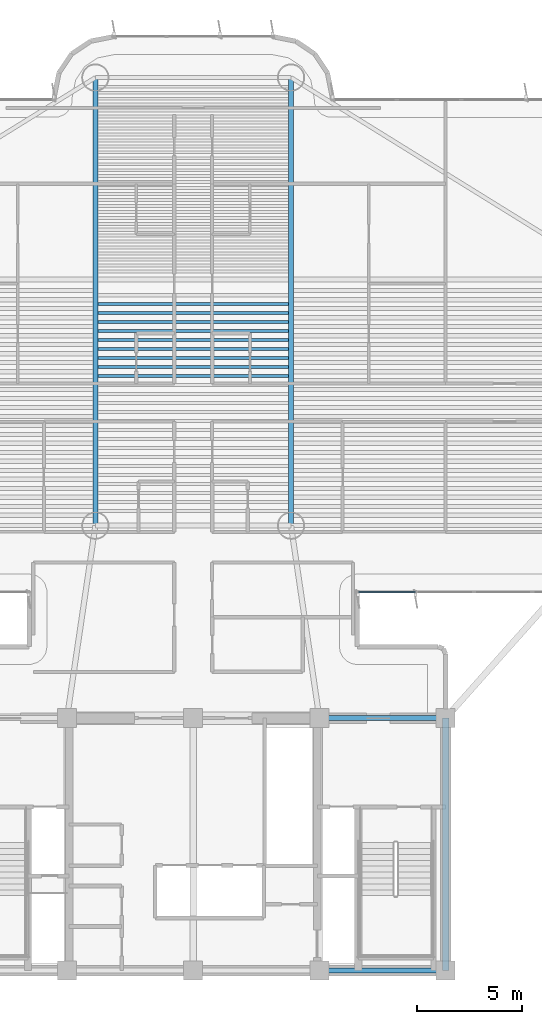
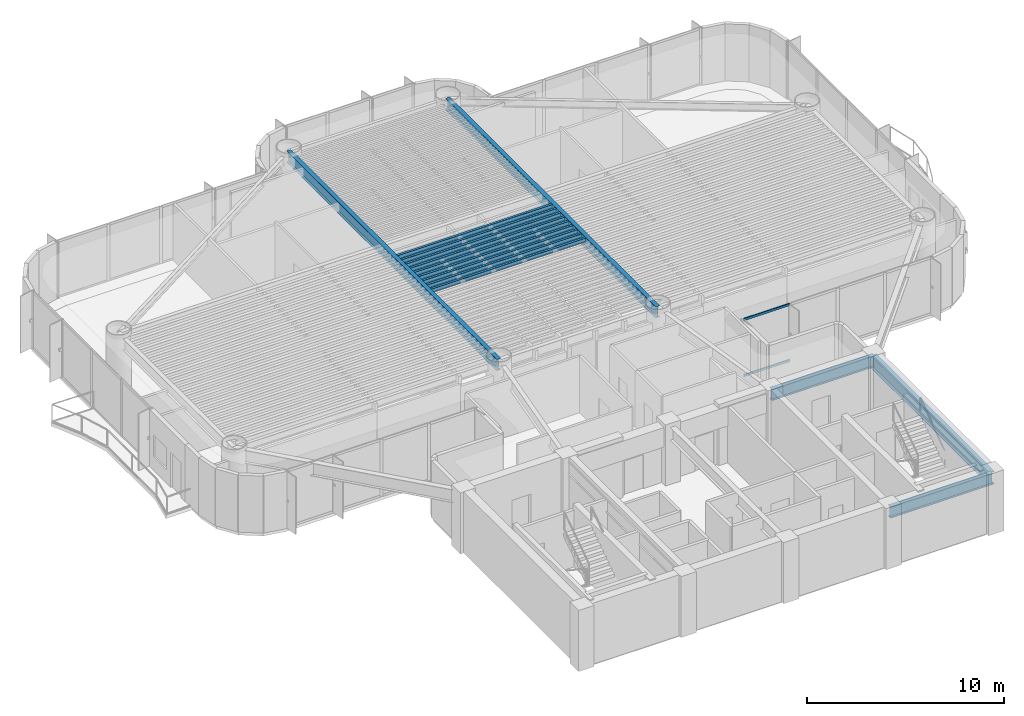
# One storey, part 3 of 17: 14 beams, 2 members, 1 element without a shape of its own.
"""IFC4 building model written with IfcOpenShell, lengths in metres."""

import ifcopenshell
import ifcopenshell.guid

model = None  # the IFC model being written
_history = None  # IfcOwnerHistory: only IFC2X3 demands one
_inside = {}  # id of a spatial element -> (the spatial element, [elements in it])
_under = {}  # id of a project, library or spatial element -> (it, [spatial elements below it])
_declared = {}  # id of a project -> (the project, [libraries it declares])
_typed = {}  # id of a type object -> (the type object, [elements of that type])
_made_of = {}  # id of a material, layer set ... -> (it, [elements and type objects made of it])


def new_model(schema):
    """Start an empty IFC model of exactly this schema.

    Asked for "IFC4X3", IfcOpenShell would pick the latest addendum, in which some entities
    have other attributes; the version numbers below select the first issue.
    IFC2X3 requires an IfcOwnerHistory on every rooted entity: one is made here for all.
    """
    global model, _history
    if schema == "IFC4X3":
        model = ifcopenshell.file(schema_version=(4, 3, 0, 0))
    else:
        model = ifcopenshell.file(schema=schema)
    _inside.clear()
    _under.clear()
    _declared.clear()
    _typed.clear()
    _made_of.clear()
    _history = None
    if model.schema == "IFC2X3":
        org = make("IfcOrganization", Name="unknown")
        user = make(
            "IfcPersonAndOrganization",
            ThePerson=make("IfcPerson", FamilyName="unknown"),
            TheOrganization=org,
        )
        app = make(
            "IfcApplication",
            ApplicationDeveloper=org,
            Version="unknown",
            ApplicationFullName="unknown",
            ApplicationIdentifier="unknown",
        )
        _history = make(
            "IfcOwnerHistory",
            OwningUser=user,
            OwningApplication=app,
            ChangeAction="ADDED",
            CreationDate=0,
        )
    return model


def make(cls, **values):
    """One entity of the class cls with the attributes given. An attribute that is None is left unset."""
    return model.create_entity(
        cls, **{name: value for name, value in values.items() if value is not None}
    )


def rooted(cls, **values):
    """An entity with a GlobalId (a new one), such as an element, a storey or a relation."""
    return make(cls, GlobalId=ifcopenshell.guid.new(), OwnerHistory=_history, **values)


def si_unit(unit_type, name, prefix=None):
    """IfcSIUnit, for example si_unit("LENGTHUNIT", "METRE", prefix="MILLI")."""
    return make("IfcSIUnit", UnitType=unit_type, Prefix=prefix, Name=name)


def assignment(units):
    """IfcUnitAssignment: the units of a project."""
    return None if units is None else make("IfcUnitAssignment", Units=units)


def point(xyz):
    """IfcCartesianPoint."""
    return None if xyz is None else make("IfcCartesianPoint", Coordinates=xyz)


def direction(xyz):
    """IfcDirection."""
    return None if xyz is None else make("IfcDirection", DirectionRatios=xyz)


def frame(location, z_axis=None, x_axis=None):
    """IfcAxis2Placement3D, a coordinate frame: its origin and axes. An axis left out is left unset."""
    return make(
        "IfcAxis2Placement3D",
        Location=point(location),
        Axis=direction(z_axis),
        RefDirection=direction(x_axis),
    )


def frame_2d(location, x_axis=None):
    """IfcAxis2Placement2D, a coordinate frame in the plane: its origin and x axis."""
    return make(
        "IfcAxis2Placement2D", Location=point(location), RefDirection=direction(x_axis)
    )


def origin():
    """The frame at (0, 0, 0) with its axes left unset."""
    return frame((0.0, 0.0, 0.0))


def origin_2d():
    """The frame at (0, 0) in the plane with its x axis left unset."""
    return frame_2d((0.0, 0.0))


def place(relative_to, where):
    """IfcLocalPlacement: puts the frame where relative to a parent placement (None: the world)."""
    return make(
        "IfcLocalPlacement", PlacementRelTo=relative_to, RelativePlacement=where
    )


def context(
    kind, dimensions, precision=None, world=None, true_north=None, identifier=None
):
    """IfcGeometricRepresentationContext, for example the 3D "Model" context."""
    return make(
        "IfcGeometricRepresentationContext",
        ContextIdentifier=identifier,
        ContextType=kind,
        CoordinateSpaceDimension=dimensions,
        Precision=precision,
        WorldCoordinateSystem=world,
        TrueNorth=true_north,
    )


def subcontext(parent, identifier, kind, view, scale=None):
    """IfcGeometricRepresentationSubContext, for example "Body" below "Model"."""
    return make(
        "IfcGeometricRepresentationSubContext",
        ContextIdentifier=identifier,
        ContextType=kind,
        ParentContext=parent,
        TargetScale=scale,
        TargetView=view,
    )


def project(units=None, contexts=None):
    """IfcProject with its units and contexts."""
    return rooted(
        "IfcProject",
        Name="project",
        RepresentationContexts=contexts,
        UnitsInContext=assignment(units),
    )


def spatial(cls, under=None, at=None, **own):
    """A site, building, storey or space (cls), placed at a placement, below another one or the project."""
    s = rooted(cls, ObjectPlacement=at, **own)
    if under is not None:
        _under.setdefault(under.id(), (under, []))[1].append(s)
    return s


def profile(cls, at=None, kind="AREA", **sizes):
    """A parametric profile (cls). Its sizes go by their IFC names, for example OverallWidth=200.0."""
    return make(cls, ProfileType=kind, Position=at, **sizes)


def rectangle(**sizes):
    """IfcRectangleProfileDef."""
    return profile("IfcRectangleProfileDef", **sizes)


def i_section(**sizes):
    """IfcIShapeProfileDef."""
    return profile("IfcIShapeProfileDef", **sizes)


def extrude(swept, where, along, depth):
    """IfcExtrudedAreaSolid: the profile swept, set in the frame where, extruded along a direction by depth."""
    return make(
        "IfcExtrudedAreaSolid",
        SweptArea=swept,
        Position=where,
        ExtrudedDirection=direction(along),
        Depth=depth,
    )


def shape(context_of_items, identifier, shape_type, items):
    """IfcShapeRepresentation: the items that make up one representation, for example the "Body"."""
    return make(
        "IfcShapeRepresentation",
        ContextOfItems=context_of_items,
        RepresentationIdentifier=identifier,
        RepresentationType=shape_type,
        Items=items,
    )


def source(mapping_origin, context_of_items, identifier, shape_type, items):
    """IfcRepresentationMap: a shape defined once, which mapped items show again and again."""
    return make(
        "IfcRepresentationMap",
        MappingOrigin=mapping_origin,
        MappedRepresentation=shape(context_of_items, identifier, shape_type, items),
    )


def transform(
    local_origin,
    x_axis=None,
    y_axis=None,
    z_axis=None,
    scale=None,
    scale2=None,
    scale3=None,
    uniform=True,
):
    """IfcCartesianTransformationOperator3D, or its non-uniform kind. x_axis, y_axis, z_axis: its Axis1, 2, 3."""
    if uniform:
        return make(
            "IfcCartesianTransformationOperator3D",
            Axis1=direction(x_axis),
            Axis2=direction(y_axis),
            LocalOrigin=point(local_origin),
            Scale=scale,
            Axis3=direction(z_axis),
        )
    return make(
        "IfcCartesianTransformationOperator3DnonUniform",
        Axis1=direction(x_axis),
        Axis2=direction(y_axis),
        LocalOrigin=point(local_origin),
        Scale=scale,
        Axis3=direction(z_axis),
        Scale2=scale2,
        Scale3=scale3,
    )


def mapped(mapping_source, mapping_target):
    """IfcMappedItem: shows the shape of a source again, moved by a transform."""
    return make(
        "IfcMappedItem", MappingSource=mapping_source, MappingTarget=mapping_target
    )


def material(Name=None, Category=None):
    """IfcMaterial."""
    return make("IfcMaterial", Name=Name, Category=Category)


def layer(
    of_material, thickness, ventilated=None, Name=None, Category=None, Priority=None
):
    """IfcMaterialLayer: one layer of a wall or slab, of a material (None: an air gap)."""
    return make(
        "IfcMaterialLayer",
        Material=of_material,
        LayerThickness=thickness,
        IsVentilated=ventilated,
        Name=Name,
        Category=Category,
        Priority=Priority,
    )


def layer_set(layers, Name=None):
    """IfcMaterialLayerSet."""
    return make("IfcMaterialLayerSet", MaterialLayers=layers, LayerSetName=Name)


def material_profile(
    of_material, cross_section, Name=None, Category=None, Priority=None
):
    """IfcMaterialProfile: a cross section and its material."""
    return make(
        "IfcMaterialProfile",
        Name=Name,
        Material=of_material,
        Profile=cross_section,
        Priority=Priority,
        Category=Category,
    )


def profile_set(profiles, Name=None, composite=None):
    """IfcMaterialProfileSet."""
    return make(
        "IfcMaterialProfileSet",
        Name=Name,
        MaterialProfiles=profiles,
        CompositeProfile=composite,
    )


def made_of(thing, what):
    """Note that an element or type object is made of a material, layer set ...; save() writes the relation."""
    if what is not None:
        _made_of.setdefault(what.id(), (what, []))[1].append(thing)
    return thing


def type_object(cls, material=None, **own):
    """A type object (cls), such as IfcWallType, which elements share."""
    return made_of(rooted(cls, **own), material)


def element(
    cls,
    number,
    at=None,
    inside=None,
    cuts=None,
    type_object=None,
    material=None,
    context=None,
    identifier="Body",
    shape_type=None,
    held_by="IfcProductDefinitionShape",
    body=None,
    shapes=None,
    **own,
):
    """One element of the class cls, such as IfcWall. Its Tag is "e" and its number.

    at: its placement. inside: the storey or other place that contains it. cuts: it is an
    opening in that element (IfcRelVoidsElement). A single representation is given by context,
    identifier, shape_type and body (its items); several are given by shapes. held_by: the class
    of the entity that holds the representations. save() writes the other relations.
    """
    e = rooted(cls, Tag="e%d" % number, ObjectPlacement=at, **own)
    if body is not None:
        shapes = [shape(context, identifier, shape_type, body)]
    if shapes is not None:
        e.Representation = make(held_by, Representations=shapes)
    if inside is not None:
        _inside.setdefault(inside.id(), (inside, []))[1].append(e)
    if cuts is not None:
        rooted(
            "IfcRelVoidsElement", RelatingBuildingElement=cuts, RelatedOpeningElement=e
        )
    if type_object is not None:
        _typed.setdefault(type_object.id(), (type_object, []))[1].append(e)
    return made_of(e, material)


def aggregate(whole, parts):
    """IfcRelAggregates: a whole, such as a stair, and the parts it consists of."""
    return rooted("IfcRelAggregates", RelatingObject=whole, RelatedObjects=parts)


def save(model, path):
    """Write the relations noted so far, then the file.

    IfcRelAggregates (storeys below a building ...), IfcRelContainedInSpatialStructure (elements
    in a storey), IfcRelDefinesByType, IfcRelAssociatesMaterial and IfcRelDeclares: one each for
    every whole, place, type object, material and project.
    """
    for whole, parts in _under.values():
        aggregate(whole, parts)
    for where, things in _inside.values():
        rooted(
            "IfcRelContainedInSpatialStructure",
            RelatedElements=things,
            RelatingStructure=where,
        )
    for kind, things in _typed.values():
        rooted("IfcRelDefinesByType", RelatedObjects=things, RelatingType=kind)
    for what, things in _made_of.values():
        rooted("IfcRelAssociatesMaterial", RelatedObjects=things, RelatingMaterial=what)
    for by, libraries in _declared.values():
        rooted("IfcRelDeclares", RelatingContext=by, RelatedDefinitions=libraries)
    model.write(path)


model = new_model("IFC4")

# Units and contexts
model_context = context("Model", 3, precision=1e-05, world=origin(), true_north=direction((0.0, 1.0)))
body_context = subcontext(model_context, "Body", "Model", "MODEL_VIEW")
ifc_project = project(units=[si_unit("LENGTHUNIT", "METRE"), si_unit("AREAUNIT", "SQUARE_METRE"), si_unit("VOLUMEUNIT", "CUBIC_METRE"), si_unit("PLANEANGLEUNIT", "RADIAN"), si_unit("MASSUNIT", "GRAM", prefix="KILO")], contexts=[model_context])

# Site, building, storey
site_placement = place(None, origin())
site = spatial("IfcSite", under=ifc_project, at=site_placement, CompositionType="ELEMENT")
building_placement = place(site_placement, origin())
building = spatial("IfcBuilding", under=site, at=building_placement, Name="Brelvock Crest Care Tower", CompositionType="ELEMENT")
storey_placement = place(building_placement, frame((0.0, 0.0, 93.60009765625)))
storey = spatial("IfcBuildingStorey", under=building, at=storey_placement, Name="L23", CompositionType="ELEMENT", Elevation=93.60009765625)

# Beams
ifc_material_1 = material(Name="Steel Grade 350", Category="steel")
ifc_material_profile_1 = material_profile(ifc_material_1, i_section(OverallWidth=0.25, OverallDepth=0.699951171875, WebThickness=0.011962890625, FlangeThickness=0.02001953125, at=origin_2d()), Name="700WB150")
ifc_profile_set_1 = profile_set([ifc_material_profile_1], Name="Steel Grade 350")
beam_type_1 = type_object("IfcBeamType", Name="BM-G4", PredefinedType="BEAM", material=ifc_profile_set_1)
shared_shape_1 = source(origin(), body_context, "Body", "SweptSolid", [
    extrude(i_section(OverallWidth=0.25, OverallDepth=0.699951171875, WebThickness=0.011962890625, FlangeThickness=0.02001953125, at=origin_2d()), origin(), (0.0, 0.0, 1.0), 6.0),
])
for number, where, z_axis, x_axis, name in (
    (1, (42.0, 6.0, 3.179931640625), (1.0, 0.0, 0.0), (0.0, 1.0, 0.0), "BM-CORES-L23-4"),
    (2, (42.0, 18.0, 3.179931640625), (1.0, 0.0, 0.0), (0.0, 1.0, 0.0), "BM-COREN-L23-4"),
):
    element("IfcBeam", number, at=place(storey_placement, frame(where, z_axis=z_axis, x_axis=x_axis)), inside=storey, type_object=beam_type_1, Name=name, PredefinedType="BEAM", context=body_context, shape_type="MappedRepresentation", body=[
        mapped(shared_shape_1, transform((0.0, 0.0, 0.0), x_axis=(1.0, 0.0, 0.0), y_axis=(0.0, 1.0, 0.0), z_axis=(0.0, 0.0, 1.0), scale=1.0)),
    ])
ifc_material_profile_2 = material_profile(ifc_material_1, i_section(OverallWidth=0.300048828125, OverallDepth=0.800048828125, WebThickness=0.013916015625, FlangeThickness=0.02197265625, at=origin_2d()), Name="800WB192")
ifc_profile_set_2 = profile_set([ifc_material_profile_2], Name="Steel Grade 350")
beam_type_2 = type_object("IfcBeamType", Name="BM-G5", PredefinedType="BEAM", material=ifc_profile_set_2)
shared_shape_2 = source(origin(), body_context, "Body", "SweptSolid", [
    extrude(i_section(OverallWidth=0.300048828125, OverallDepth=0.800048828125, WebThickness=0.013916015625, FlangeThickness=0.02197265625, at=origin_2d()), origin(), (0.0, 0.0, 1.0), 12.0),
])
beam_placement = place(storey_placement, frame((48.0, 6.0, 3.1298828125), z_axis=(0.0, 1.0, 0.0), x_axis=(-1.0, 0.0, 0.0)))
element("IfcBeam", 3, at=beam_placement, inside=storey, type_object=beam_type_2, Name="BM-COREX-L23-5", PredefinedType="BEAM", context=body_context, shape_type="MappedRepresentation", body=[
    mapped(shared_shape_2, transform((0.0, 0.0, 0.0), x_axis=(1.0, 0.0, 0.0), y_axis=(0.0, 1.0, 0.0), z_axis=(0.0, 0.0, 1.0), scale=1.0)),
])
ifc_material_profile_3 = material_profile(ifc_material_1, i_section(OverallWidth=0.14599609375, OverallDepth=0.256103515625, WebThickness=0.00634765625, FlangeThickness=0.010986328125, FilletRadius=0.0087890625, at=origin_2d()), Name="250UB37.3")
ifc_profile_set_3 = profile_set([ifc_material_profile_3], Name="Steel Grade 350")
beam_type_3 = type_object("IfcBeamType", Name="BM-J3", PredefinedType="JOIST", material=ifc_profile_set_3)
shared_shape_3 = source(origin(), body_context, "Body", "SweptSolid", [
    extrude(i_section(OverallWidth=0.14599609375, OverallDepth=0.256103515625, WebThickness=0.00634765625, FlangeThickness=0.010986328125, FilletRadius=0.0087890625, at=origin_2d()), origin(), (0.0, 0.0, 1.0), 9.06982421875),
])
for number, where, z_axis, x_axis, name in (
    (4, (31.465087890625, 34.2607421875, 3.40185546875), (1.0, 0.0, 0.0), (0.0, 1.0, 0.0), "BM-JH-L23-16"),
    (5, (31.465087890625, 34.687744140625, 3.40185546875), (1.0, 0.0, 0.0), (0.0, 1.0, 0.0), "BM-JH-L23-17"),
    (6, (31.465087890625, 35.11474609375, 3.40185546875), (1.0, 0.0, 0.0), (0.0, 1.0, 0.0), "BM-JH-L23-18"),
    (7, (31.465087890625, 35.541748046875, 3.40185546875), (1.0, 0.0, 0.0), (0.0, 1.0, 0.0), "BM-JH-L23-19"),
    (8, (31.465087890625, 35.96875, 3.40185546875), (1.0, 0.0, 0.0), (0.0, 1.0, 0.0), "BM-JH-L23-20"),
    (9, (31.465087890625, 36.39599609375, 3.40185546875), (1.0, 0.0, 0.0), (0.0, 1.0, 0.0), "BM-JH-L23-21"),
    (10, (31.465087890625, 36.822998046875, 3.40185546875), (1.0, 0.0, 0.0), (0.0, 1.0, 0.0), "BM-JH-L23-22"),
    (11, (31.465087890625, 37.25, 3.40185546875), (1.0, 0.0, 0.0), (0.0, 1.0, 0.0), "BM-JH-L23-23"),
    (12, (31.465087890625, 37.677001953125, 3.40185546875), (1.0, 0.0, 0.0), (0.0, 1.0, 0.0), "BM-JH-L23-24"),
):
    element("IfcBeam", number, at=place(storey_placement, frame(where, z_axis=z_axis, x_axis=x_axis)), inside=storey, type_object=beam_type_3, Name=name, PredefinedType="JOIST", context=body_context, shape_type="MappedRepresentation", body=[
        mapped(shared_shape_3, transform((0.0, 0.0, 0.0), x_axis=(1.0, 0.0, 0.0), y_axis=(0.0, 1.0, 0.0), z_axis=(0.0, 0.0, 1.0), scale=1.0)),
    ])
shared_shape_4 = source(origin(), body_context, "Body", "SweptSolid", [
    extrude(i_section(OverallWidth=0.25, OverallDepth=0.699951171875, WebThickness=0.011962890625, FlangeThickness=0.02001953125, at=origin_2d()), origin(), (0.0, 0.0, 1.0), 21.300048828125),
])
for number, where, z_axis, x_axis, name in (
    (13, (31.35009765625, 27.14990234375, 3.179931640625), (0.0, 1.0, 0.0), (-1.0, 0.0, 0.0), "BM-TWR-L23-09"),
    (14, (40.64990234375, 27.14990234375, 3.179931640625), (0.0, 1.0, 0.0), (-1.0, 0.0, 0.0), "BM-TWR-L23-10"),
):
    element("IfcBeam", number, at=place(storey_placement, frame(where, z_axis=z_axis, x_axis=x_axis)), inside=storey, type_object=beam_type_1, Name=name, PredefinedType="BEAM", context=body_context, shape_type="MappedRepresentation", body=[
        mapped(shared_shape_4, transform((0.0, 0.0, 0.0), x_axis=(1.0, 0.0, 0.0), y_axis=(0.0, 1.0, 0.0), z_axis=(0.0, 0.0, 1.0), scale=1.0)),
    ])

# Curtain wall, members
ifc_material_2 = material(Name="Dark Glass Double Glazed Low-E", Category="glass")
ifc_layer = layer(ifc_material_2, 0.2099609375, Name="CWS-3")
ifc_layer_set = layer_set([ifc_layer], Name="Dark Glass Double Glazed Low-E")
curtain_wall_type = type_object("IfcCurtainWallType", Name="CWS-3", PredefinedType="NOTDEFINED", material=ifc_layer_set)
curtain_wall_placement = place(storey_placement, origin())
curtain_wall = element("IfcCurtainWall", 15, at=curtain_wall_placement, inside=storey, type_object=curtain_wall_type, Name="L23 Curtain Wall E44", PredefinedType="NOTDEFINED")
ifc_material_3 = material(Name="Aluminium 6063-T6", Category="aluminium")
ifc_material_profile_4 = material_profile(ifc_material_3, rectangle(XDim=0.06005859375, YDim=0.139892578125, at=origin_2d()), Name="ALU60x140")
ifc_profile_set_4 = profile_set([ifc_material_profile_4], Name="Aluminium 6063-T6")
member_type = type_object("IfcMemberType", Name="CWT-2", PredefinedType="USERDEFINED", material=ifc_profile_set_4)
shared_shape_5 = source(origin(), body_context, "Body", "SweptSolid", [
    extrude(rectangle(XDim=0.06005859375, YDim=0.139892578125, at=origin_2d()), origin(), (0.0, 0.0, 1.0), 2.684814453125),
])
member_1_placement = place(storey_placement, frame((46.544921875, 24.0, 0.02978515625), z_axis=(-1.0, 0.0, 0.0), x_axis=(0.0, -1.0, 0.0)))
member_1 = element("IfcMember", 16, at=member_1_placement, type_object=member_type, Name="CW-3 transom 4.1", ObjectType="TRANSOM", PredefinedType="USERDEFINED", context=body_context, shape_type="MappedRepresentation", body=[
    mapped(shared_shape_5, transform((0.0, 0.0, 0.0), x_axis=(1.0, 0.0, 0.0), y_axis=(0.0, 1.0, 0.0), z_axis=(0.0, 0.0, 1.0), scale=1.0)),
])
member_2_placement = place(storey_placement, frame((46.544921875, 24.0, 3.5), z_axis=(-1.0, 0.0, 0.0), x_axis=(0.0, -1.0, 0.0)))
member_2 = element("IfcMember", 17, at=member_2_placement, type_object=member_type, Name="CW-3 transom 4.2", ObjectType="TRANSOM", PredefinedType="USERDEFINED", context=body_context, shape_type="MappedRepresentation", body=[
    mapped(shared_shape_5, transform((0.0, 0.0, 0.0), x_axis=(1.0, 0.0, 0.0), y_axis=(0.0, 1.0, 0.0), z_axis=(0.0, 0.0, 1.0), scale=1.0)),
])
aggregate(curtain_wall, [member_1, member_2])

save(model, "model.ifc")
